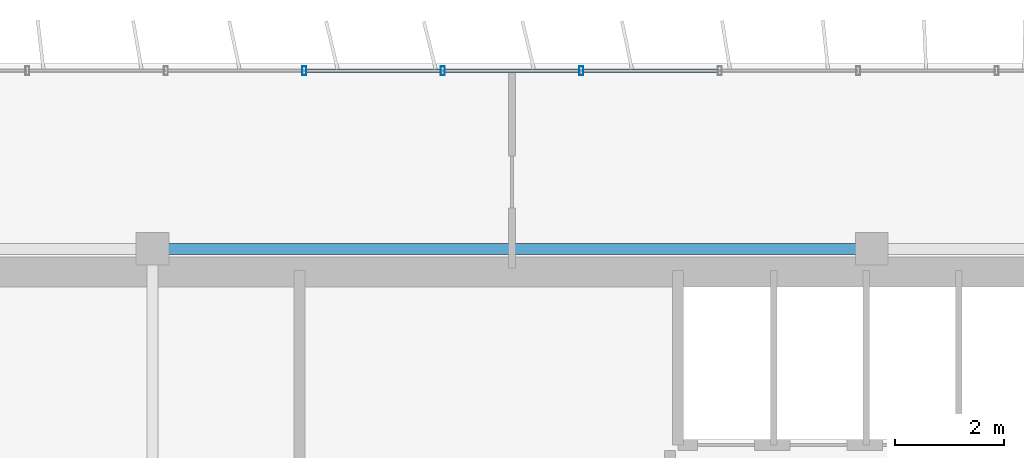
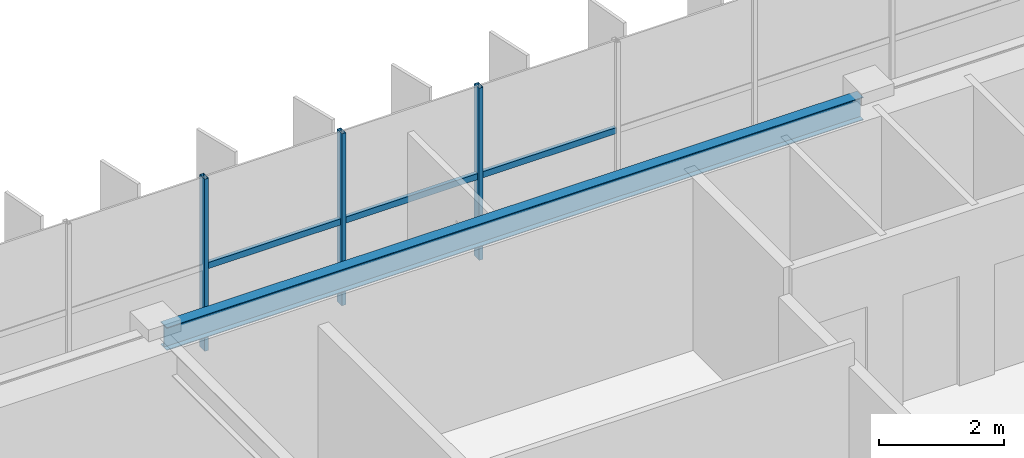
# One storey, part 9 of 22: 6 members, 1 beam, 1 element without a shape of its own.
"""IFC4 building model written with IfcOpenShell, lengths in metres."""

import ifcopenshell
import ifcopenshell.guid

model = None  # the IFC model being written
_history = None  # IfcOwnerHistory: only IFC2X3 demands one
_inside = {}  # id of a spatial element -> (the spatial element, [elements in it])
_under = {}  # id of a project, library or spatial element -> (it, [spatial elements below it])
_declared = {}  # id of a project -> (the project, [libraries it declares])
_typed = {}  # id of a type object -> (the type object, [elements of that type])
_made_of = {}  # id of a material, layer set ... -> (it, [elements and type objects made of it])


def new_model(schema):
    """Start an empty IFC model of exactly this schema.

    Asked for "IFC4X3", IfcOpenShell would pick the latest addendum, in which some entities
    have other attributes; the version numbers below select the first issue.
    IFC2X3 requires an IfcOwnerHistory on every rooted entity: one is made here for all.
    """
    global model, _history
    if schema == "IFC4X3":
        model = ifcopenshell.file(schema_version=(4, 3, 0, 0))
    else:
        model = ifcopenshell.file(schema=schema)
    _inside.clear()
    _under.clear()
    _declared.clear()
    _typed.clear()
    _made_of.clear()
    _history = None
    if model.schema == "IFC2X3":
        org = make("IfcOrganization", Name="unknown")
        user = make(
            "IfcPersonAndOrganization",
            ThePerson=make("IfcPerson", FamilyName="unknown"),
            TheOrganization=org,
        )
        app = make(
            "IfcApplication",
            ApplicationDeveloper=org,
            Version="unknown",
            ApplicationFullName="unknown",
            ApplicationIdentifier="unknown",
        )
        _history = make(
            "IfcOwnerHistory",
            OwningUser=user,
            OwningApplication=app,
            ChangeAction="ADDED",
            CreationDate=0,
        )
    return model


def make(cls, **values):
    """One entity of the class cls with the attributes given. An attribute that is None is left unset."""
    return model.create_entity(
        cls, **{name: value for name, value in values.items() if value is not None}
    )


def rooted(cls, **values):
    """An entity with a GlobalId (a new one), such as an element, a storey or a relation."""
    return make(cls, GlobalId=ifcopenshell.guid.new(), OwnerHistory=_history, **values)


def si_unit(unit_type, name, prefix=None):
    """IfcSIUnit, for example si_unit("LENGTHUNIT", "METRE", prefix="MILLI")."""
    return make("IfcSIUnit", UnitType=unit_type, Prefix=prefix, Name=name)


def assignment(units):
    """IfcUnitAssignment: the units of a project."""
    return None if units is None else make("IfcUnitAssignment", Units=units)


def point(xyz):
    """IfcCartesianPoint."""
    return None if xyz is None else make("IfcCartesianPoint", Coordinates=xyz)


def direction(xyz):
    """IfcDirection."""
    return None if xyz is None else make("IfcDirection", DirectionRatios=xyz)


def frame(location, z_axis=None, x_axis=None):
    """IfcAxis2Placement3D, a coordinate frame: its origin and axes. An axis left out is left unset."""
    return make(
        "IfcAxis2Placement3D",
        Location=point(location),
        Axis=direction(z_axis),
        RefDirection=direction(x_axis),
    )


def frame_2d(location, x_axis=None):
    """IfcAxis2Placement2D, a coordinate frame in the plane: its origin and x axis."""
    return make(
        "IfcAxis2Placement2D", Location=point(location), RefDirection=direction(x_axis)
    )


def origin():
    """The frame at (0, 0, 0) with its axes left unset."""
    return frame((0.0, 0.0, 0.0))


def origin_2d():
    """The frame at (0, 0) in the plane with its x axis left unset."""
    return frame_2d((0.0, 0.0))


def place(relative_to, where):
    """IfcLocalPlacement: puts the frame where relative to a parent placement (None: the world)."""
    return make(
        "IfcLocalPlacement", PlacementRelTo=relative_to, RelativePlacement=where
    )


def context(
    kind, dimensions, precision=None, world=None, true_north=None, identifier=None
):
    """IfcGeometricRepresentationContext, for example the 3D "Model" context."""
    return make(
        "IfcGeometricRepresentationContext",
        ContextIdentifier=identifier,
        ContextType=kind,
        CoordinateSpaceDimension=dimensions,
        Precision=precision,
        WorldCoordinateSystem=world,
        TrueNorth=true_north,
    )


def subcontext(parent, identifier, kind, view, scale=None):
    """IfcGeometricRepresentationSubContext, for example "Body" below "Model"."""
    return make(
        "IfcGeometricRepresentationSubContext",
        ContextIdentifier=identifier,
        ContextType=kind,
        ParentContext=parent,
        TargetScale=scale,
        TargetView=view,
    )


def project(units=None, contexts=None):
    """IfcProject with its units and contexts."""
    return rooted(
        "IfcProject",
        Name="project",
        RepresentationContexts=contexts,
        UnitsInContext=assignment(units),
    )


def spatial(cls, under=None, at=None, **own):
    """A site, building, storey or space (cls), placed at a placement, below another one or the project."""
    s = rooted(cls, ObjectPlacement=at, **own)
    if under is not None:
        _under.setdefault(under.id(), (under, []))[1].append(s)
    return s


def profile(cls, at=None, kind="AREA", **sizes):
    """A parametric profile (cls). Its sizes go by their IFC names, for example OverallWidth=200.0."""
    return make(cls, ProfileType=kind, Position=at, **sizes)


def hollow_rectangle(**sizes):
    """IfcRectangleHollowProfileDef."""
    return profile("IfcRectangleHollowProfileDef", **sizes)


def i_section(**sizes):
    """IfcIShapeProfileDef."""
    return profile("IfcIShapeProfileDef", **sizes)


def extrude(swept, where, along, depth):
    """IfcExtrudedAreaSolid: the profile swept, set in the frame where, extruded along a direction by depth."""
    return make(
        "IfcExtrudedAreaSolid",
        SweptArea=swept,
        Position=where,
        ExtrudedDirection=direction(along),
        Depth=depth,
    )


def shape(context_of_items, identifier, shape_type, items):
    """IfcShapeRepresentation: the items that make up one representation, for example the "Body"."""
    return make(
        "IfcShapeRepresentation",
        ContextOfItems=context_of_items,
        RepresentationIdentifier=identifier,
        RepresentationType=shape_type,
        Items=items,
    )


def source(mapping_origin, context_of_items, identifier, shape_type, items):
    """IfcRepresentationMap: a shape defined once, which mapped items show again and again."""
    return make(
        "IfcRepresentationMap",
        MappingOrigin=mapping_origin,
        MappedRepresentation=shape(context_of_items, identifier, shape_type, items),
    )


def transform(
    local_origin,
    x_axis=None,
    y_axis=None,
    z_axis=None,
    scale=None,
    scale2=None,
    scale3=None,
    uniform=True,
):
    """IfcCartesianTransformationOperator3D, or its non-uniform kind. x_axis, y_axis, z_axis: its Axis1, 2, 3."""
    if uniform:
        return make(
            "IfcCartesianTransformationOperator3D",
            Axis1=direction(x_axis),
            Axis2=direction(y_axis),
            LocalOrigin=point(local_origin),
            Scale=scale,
            Axis3=direction(z_axis),
        )
    return make(
        "IfcCartesianTransformationOperator3DnonUniform",
        Axis1=direction(x_axis),
        Axis2=direction(y_axis),
        LocalOrigin=point(local_origin),
        Scale=scale,
        Axis3=direction(z_axis),
        Scale2=scale2,
        Scale3=scale3,
    )


def mapped(mapping_source, mapping_target):
    """IfcMappedItem: shows the shape of a source again, moved by a transform."""
    return make(
        "IfcMappedItem", MappingSource=mapping_source, MappingTarget=mapping_target
    )


def material(Name=None, Category=None):
    """IfcMaterial."""
    return make("IfcMaterial", Name=Name, Category=Category)


def material_profile(
    of_material, cross_section, Name=None, Category=None, Priority=None
):
    """IfcMaterialProfile: a cross section and its material."""
    return make(
        "IfcMaterialProfile",
        Name=Name,
        Material=of_material,
        Profile=cross_section,
        Priority=Priority,
        Category=Category,
    )


def profile_set(profiles, Name=None, composite=None):
    """IfcMaterialProfileSet."""
    return make(
        "IfcMaterialProfileSet",
        Name=Name,
        MaterialProfiles=profiles,
        CompositeProfile=composite,
    )


def made_of(thing, what):
    """Note that an element or type object is made of a material, layer set ...; save() writes the relation."""
    if what is not None:
        _made_of.setdefault(what.id(), (what, []))[1].append(thing)
    return thing


def type_object(cls, material=None, **own):
    """A type object (cls), such as IfcWallType, which elements share."""
    return made_of(rooted(cls, **own), material)


def element(
    cls,
    number,
    at=None,
    inside=None,
    cuts=None,
    type_object=None,
    material=None,
    context=None,
    identifier="Body",
    shape_type=None,
    held_by="IfcProductDefinitionShape",
    body=None,
    shapes=None,
    **own,
):
    """One element of the class cls, such as IfcWall. Its Tag is "e" and its number.

    at: its placement. inside: the storey or other place that contains it. cuts: it is an
    opening in that element (IfcRelVoidsElement). A single representation is given by context,
    identifier, shape_type and body (its items); several are given by shapes. held_by: the class
    of the entity that holds the representations. save() writes the other relations.
    """
    e = rooted(cls, Tag="e%d" % number, ObjectPlacement=at, **own)
    if body is not None:
        shapes = [shape(context, identifier, shape_type, body)]
    if shapes is not None:
        e.Representation = make(held_by, Representations=shapes)
    if inside is not None:
        _inside.setdefault(inside.id(), (inside, []))[1].append(e)
    if cuts is not None:
        rooted(
            "IfcRelVoidsElement", RelatingBuildingElement=cuts, RelatedOpeningElement=e
        )
    if type_object is not None:
        _typed.setdefault(type_object.id(), (type_object, []))[1].append(e)
    return made_of(e, material)


def aggregate(whole, parts):
    """IfcRelAggregates: a whole, such as a stair, and the parts it consists of."""
    return rooted("IfcRelAggregates", RelatingObject=whole, RelatedObjects=parts)


def save(model, path):
    """Write the relations noted so far, then the file.

    IfcRelAggregates (storeys below a building ...), IfcRelContainedInSpatialStructure (elements
    in a storey), IfcRelDefinesByType, IfcRelAssociatesMaterial and IfcRelDeclares: one each for
    every whole, place, type object, material and project.
    """
    for whole, parts in _under.values():
        aggregate(whole, parts)
    for where, things in _inside.values():
        rooted(
            "IfcRelContainedInSpatialStructure",
            RelatedElements=things,
            RelatingStructure=where,
        )
    for kind, things in _typed.values():
        rooted("IfcRelDefinesByType", RelatedObjects=things, RelatingType=kind)
    for what, things in _made_of.values():
        rooted("IfcRelAssociatesMaterial", RelatedObjects=things, RelatingMaterial=what)
    for by, libraries in _declared.values():
        rooted("IfcRelDeclares", RelatingContext=by, RelatedDefinitions=libraries)
    model.write(path)


model = new_model("IFC4")

# Units and contexts
model_context = context("Model", 3, precision=1e-05, world=origin(), true_north=direction((0.0, 1.0)))
body_context = subcontext(model_context, "Body", "Model", "MODEL_VIEW")
ifc_project = project(units=[si_unit("LENGTHUNIT", "METRE"), si_unit("AREAUNIT", "SQUARE_METRE"), si_unit("VOLUMEUNIT", "CUBIC_METRE"), si_unit("PLANEANGLEUNIT", "RADIAN"), si_unit("MASSUNIT", "GRAM", prefix="KILO")], contexts=[model_context])

# Site, building, storey
site_placement = place(None, origin())
site = spatial("IfcSite", under=ifc_project, at=site_placement, CompositionType="ELEMENT")
building_placement = place(site_placement, origin())
building = spatial("IfcBuilding", under=site, at=building_placement, Name="Trelvane Seafront Commons", CompositionType="ELEMENT")
storey_placement = place(building_placement, frame((0.0, 0.0, 270.300048828125)))
storey = spatial("IfcBuildingStorey", under=building, at=storey_placement, Name="L70", CompositionType="ELEMENT", Elevation=270.300048828125)

# Beam
ifc_material_1 = material(Name="Steel SM355 (S355)", Category="steel")
ifc_material_profile_1 = material_profile(ifc_material_1, i_section(OverallWidth=0.199951171875, OverallDepth=0.449951171875, WebThickness=0.009033203125, FlangeThickness=0.013916015625, at=origin_2d()), Name="H-450x200x9x14")
ifc_profile_set_1 = profile_set([ifc_material_profile_1], Name="Steel SM355 (S355)")
beam_type = type_object("IfcBeamType", Name="STR-SPD-H450", PredefinedType="SPANDREL", material=ifc_profile_set_1)
shared_shape_1 = source(origin(), body_context, "Body", "SweptSolid", [
    extrude(i_section(OverallWidth=0.199951171875, OverallDepth=0.449951171875, WebThickness=0.009033203125, FlangeThickness=0.013916015625, at=origin_2d()), origin(), (0.0, 0.0, 1.0), 12.89990234375),
])
beam_placement = place(storey_placement, frame((30.75, 45.10009765625, 3.14501953125), z_axis=(1.0, 0.0, 0.0), x_axis=(0.0, 1.0, 0.0)))
element("IfcBeam", 1, at=beam_placement, inside=storey, type_object=beam_type, Name="L70 Primary Girder G-25", PredefinedType="SPANDREL", context=body_context, shape_type="MappedRepresentation", body=[
    mapped(shared_shape_1, transform((0.0, 0.0, 0.0), x_axis=(1.0, 0.0, 0.0), y_axis=(0.0, 1.0, 0.0), z_axis=(0.0, 0.0, 1.0), scale=1.0)),
])

# Curtain wall, members
ifc_material_2 = material(Name="Anodised pale-silver aluminium", Category="aluminium")
curtain_wall_type = type_object("IfcCurtainWallType", Name="ARCH-CW5-UPTOWER", PredefinedType="NOTDEFINED", material=ifc_material_2)
curtain_wall_placement = place(storey_placement, origin())
curtain_wall = element("IfcCurtainWall", 2, at=curtain_wall_placement, inside=storey, type_object=curtain_wall_type, Name="CW-L70-0114", PredefinedType="NOTDEFINED")
ifc_material_profile_2 = material_profile(ifc_material_2, hollow_rectangle(XDim=0.070068359375, YDim=0.1201171875, WallThickness=0.00390625, at=origin_2d()), Name="TRAN-70x120x4")
ifc_profile_set_2 = profile_set([ifc_material_profile_2], Name="Anodised pale-silver aluminium")
member_type_1 = type_object("IfcMemberType", Name="ARCH-CW-TRAN-120", PredefinedType="USERDEFINED", material=ifc_profile_set_2)
shared_shape_2 = source(origin(), body_context, "Body", "SweptSolid", [
    extrude(hollow_rectangle(XDim=0.070068359375, YDim=0.1201171875, WallThickness=0.00390625, at=origin_2d()), origin(), (0.0, 0.0, 1.0), 2.51708984375),
])
member_1_placement = place(storey_placement, frame((35.94140625, 48.3701171875, 1.617919921875), z_axis=(1.0, 0.0, 0.0), x_axis=(0.0, 1.0, 0.0)))
member_1 = element("IfcMember", 3, at=member_1_placement, type_object=member_type_1, Name="CW-L70-0114-T08", ObjectType="TRANSOM", PredefinedType="USERDEFINED", context=body_context, shape_type="MappedRepresentation", body=[
    mapped(shared_shape_2, transform((0.0, 0.0, 0.0), x_axis=(1.0, 0.0, 0.0), y_axis=(0.0, 1.0, 0.0), z_axis=(0.0, 0.0, 1.0), scale=1.0)),
])
member_2_placement = place(storey_placement, frame((38.482666015625, 48.3701171875, 1.617919921875), z_axis=(1.0, 0.0, 0.0), x_axis=(0.0, 1.0, 0.0)))
member_2 = element("IfcMember", 4, at=member_2_placement, type_object=member_type_1, Name="CW-L70-0114-T09", ObjectType="TRANSOM", PredefinedType="USERDEFINED", context=body_context, shape_type="MappedRepresentation", body=[
    mapped(shared_shape_2, transform((0.0, 0.0, 0.0), x_axis=(1.0, 0.0, 0.0), y_axis=(0.0, 1.0, 0.0), z_axis=(0.0, 0.0, 1.0), scale=1.0)),
])
shared_shape_3 = source(origin(), body_context, "Body", "SweptSolid", [
    extrude(hollow_rectangle(XDim=0.070068359375, YDim=0.1201171875, WallThickness=0.00390625, at=origin_2d()), origin(), (0.0, 0.0, 1.0), 2.517333984375),
])
member_3_placement = place(storey_placement, frame((33.400146484375, 48.3701171875, 1.617919921875), z_axis=(1.0, 0.0, 0.0), x_axis=(0.0, 1.0, 0.0)))
member_3 = element("IfcMember", 5, at=member_3_placement, type_object=member_type_1, Name="CW-L70-0114-T07", ObjectType="TRANSOM", PredefinedType="USERDEFINED", context=body_context, shape_type="MappedRepresentation", body=[
    mapped(shared_shape_3, transform((0.0, 0.0, 0.0), x_axis=(1.0, 0.0, 0.0), y_axis=(0.0, 1.0, 0.0), z_axis=(0.0, 0.0, 1.0), scale=1.0)),
])
ifc_material_profile_3 = material_profile(ifc_material_2, hollow_rectangle(XDim=0.074951171875, YDim=0.159912109375, WallThickness=0.00390625, at=origin_2d()), Name="MULL-75x160x4")
ifc_profile_set_3 = profile_set([ifc_material_profile_3], Name="Anodised pale-silver aluminium")
member_type_2 = type_object("IfcMemberType", Name="ARCH-CW-MULL-160", PredefinedType="MULLION", material=ifc_profile_set_3)
shared_shape_4 = source(origin(), body_context, "Body", "SweptSolid", [
    extrude(hollow_rectangle(XDim=0.074951171875, YDim=0.159912109375, WallThickness=0.00390625, at=origin_2d()), origin(), (0.0, 0.0, 1.0), 3.369873046875),
])
member_4_placement = place(storey_placement, frame((33.38818359375, 48.3701171875, 0.0), z_axis=(0.0, 0.0, 1.0), x_axis=(1.0, 0.0, 0.0)))
member_4 = element("IfcMember", 6, at=member_4_placement, type_object=member_type_2, Name="CW-L70-0114-M07", PredefinedType="MULLION", context=body_context, shape_type="MappedRepresentation", body=[
    mapped(shared_shape_4, transform((0.0, 0.0, 0.0), x_axis=(1.0, 0.0, 0.0), y_axis=(0.0, 1.0, 0.0), z_axis=(0.0, 0.0, 1.0), scale=1.0)),
])
member_5_placement = place(storey_placement, frame((35.929443359375, 48.3701171875, 0.0), z_axis=(0.0, 0.0, 1.0), x_axis=(1.0, 0.0, 0.0)))
member_5 = element("IfcMember", 7, at=member_5_placement, type_object=member_type_2, Name="CW-L70-0114-M08", PredefinedType="MULLION", context=body_context, shape_type="MappedRepresentation", body=[
    mapped(shared_shape_4, transform((0.0, 0.0, 0.0), x_axis=(1.0, 0.0, 0.0), y_axis=(0.0, 1.0, 0.0), z_axis=(0.0, 0.0, 1.0), scale=1.0)),
])
member_6_placement = place(storey_placement, frame((38.470703125, 48.3701171875, 0.0), z_axis=(0.0, 0.0, 1.0), x_axis=(1.0, 0.0, 0.0)))
member_6 = element("IfcMember", 8, at=member_6_placement, type_object=member_type_2, Name="CW-L70-0114-M09", PredefinedType="MULLION", context=body_context, shape_type="MappedRepresentation", body=[
    mapped(shared_shape_4, transform((0.0, 0.0, 0.0), x_axis=(1.0, 0.0, 0.0), y_axis=(0.0, 1.0, 0.0), z_axis=(0.0, 0.0, 1.0), scale=1.0)),
])
aggregate(curtain_wall, [member_4, member_5, member_6, member_3, member_1, member_2])

save(model, "model.ifc")
